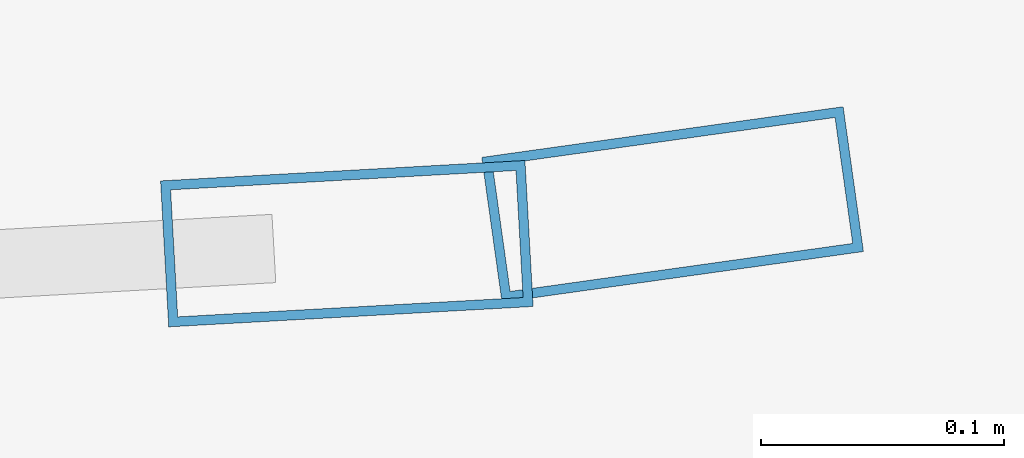
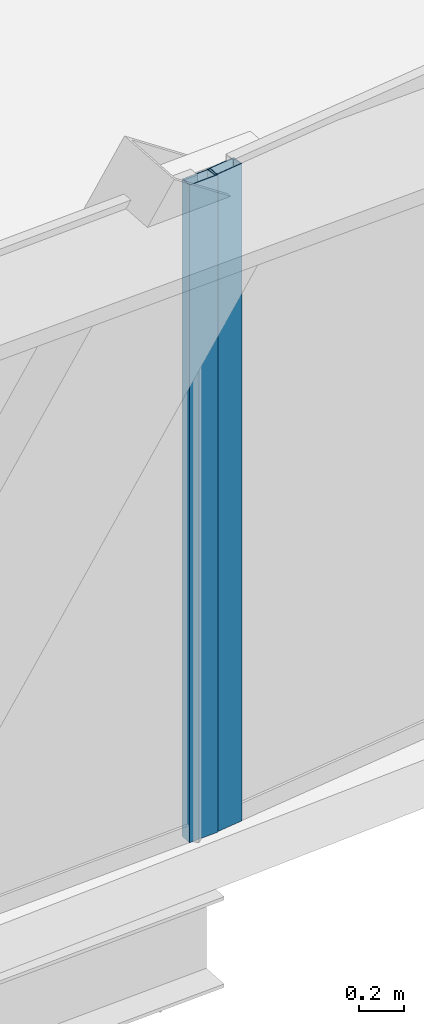
# One storey, part 14 of 38: 2 members, 2 elements without a shape of their own.
"""IFC4 building model written with IfcOpenShell, lengths in metres."""

import ifcopenshell
import ifcopenshell.guid

model = None  # the IFC model being written
_history = None  # IfcOwnerHistory: only IFC2X3 demands one
_inside = {}  # id of a spatial element -> (the spatial element, [elements in it])
_under = {}  # id of a project, library or spatial element -> (it, [spatial elements below it])
_declared = {}  # id of a project -> (the project, [libraries it declares])
_typed = {}  # id of a type object -> (the type object, [elements of that type])
_made_of = {}  # id of a material, layer set ... -> (it, [elements and type objects made of it])


def new_model(schema):
    """Start an empty IFC model of exactly this schema.

    Asked for "IFC4X3", IfcOpenShell would pick the latest addendum, in which some entities
    have other attributes; the version numbers below select the first issue.
    IFC2X3 requires an IfcOwnerHistory on every rooted entity: one is made here for all.
    """
    global model, _history
    if schema == "IFC4X3":
        model = ifcopenshell.file(schema_version=(4, 3, 0, 0))
    else:
        model = ifcopenshell.file(schema=schema)
    _inside.clear()
    _under.clear()
    _declared.clear()
    _typed.clear()
    _made_of.clear()
    _history = None
    if model.schema == "IFC2X3":
        org = make("IfcOrganization", Name="unknown")
        user = make(
            "IfcPersonAndOrganization",
            ThePerson=make("IfcPerson", FamilyName="unknown"),
            TheOrganization=org,
        )
        app = make(
            "IfcApplication",
            ApplicationDeveloper=org,
            Version="unknown",
            ApplicationFullName="unknown",
            ApplicationIdentifier="unknown",
        )
        _history = make(
            "IfcOwnerHistory",
            OwningUser=user,
            OwningApplication=app,
            ChangeAction="ADDED",
            CreationDate=0,
        )
    return model


def make(cls, **values):
    """One entity of the class cls with the attributes given. An attribute that is None is left unset."""
    return model.create_entity(
        cls, **{name: value for name, value in values.items() if value is not None}
    )


def rooted(cls, **values):
    """An entity with a GlobalId (a new one), such as an element, a storey or a relation."""
    return make(cls, GlobalId=ifcopenshell.guid.new(), OwnerHistory=_history, **values)


def si_unit(unit_type, name, prefix=None):
    """IfcSIUnit, for example si_unit("LENGTHUNIT", "METRE", prefix="MILLI")."""
    return make("IfcSIUnit", UnitType=unit_type, Prefix=prefix, Name=name)


def assignment(units):
    """IfcUnitAssignment: the units of a project."""
    return None if units is None else make("IfcUnitAssignment", Units=units)


def point(xyz):
    """IfcCartesianPoint."""
    return None if xyz is None else make("IfcCartesianPoint", Coordinates=xyz)


def direction(xyz):
    """IfcDirection."""
    return None if xyz is None else make("IfcDirection", DirectionRatios=xyz)


def frame(location, z_axis=None, x_axis=None):
    """IfcAxis2Placement3D, a coordinate frame: its origin and axes. An axis left out is left unset."""
    return make(
        "IfcAxis2Placement3D",
        Location=point(location),
        Axis=direction(z_axis),
        RefDirection=direction(x_axis),
    )


def frame_2d(location, x_axis=None):
    """IfcAxis2Placement2D, a coordinate frame in the plane: its origin and x axis."""
    return make(
        "IfcAxis2Placement2D", Location=point(location), RefDirection=direction(x_axis)
    )


def origin():
    """The frame at (0, 0, 0) with its axes left unset."""
    return frame((0.0, 0.0, 0.0))


def origin_2d():
    """The frame at (0, 0) in the plane with its x axis left unset."""
    return frame_2d((0.0, 0.0))


def place(relative_to, where):
    """IfcLocalPlacement: puts the frame where relative to a parent placement (None: the world)."""
    return make(
        "IfcLocalPlacement", PlacementRelTo=relative_to, RelativePlacement=where
    )


def context(
    kind, dimensions, precision=None, world=None, true_north=None, identifier=None
):
    """IfcGeometricRepresentationContext, for example the 3D "Model" context."""
    return make(
        "IfcGeometricRepresentationContext",
        ContextIdentifier=identifier,
        ContextType=kind,
        CoordinateSpaceDimension=dimensions,
        Precision=precision,
        WorldCoordinateSystem=world,
        TrueNorth=true_north,
    )


def subcontext(parent, identifier, kind, view, scale=None):
    """IfcGeometricRepresentationSubContext, for example "Body" below "Model"."""
    return make(
        "IfcGeometricRepresentationSubContext",
        ContextIdentifier=identifier,
        ContextType=kind,
        ParentContext=parent,
        TargetScale=scale,
        TargetView=view,
    )


def project(units=None, contexts=None):
    """IfcProject with its units and contexts."""
    return rooted(
        "IfcProject",
        Name="project",
        RepresentationContexts=contexts,
        UnitsInContext=assignment(units),
    )


def spatial(cls, under=None, at=None, **own):
    """A site, building, storey or space (cls), placed at a placement, below another one or the project."""
    s = rooted(cls, ObjectPlacement=at, **own)
    if under is not None:
        _under.setdefault(under.id(), (under, []))[1].append(s)
    return s


def profile(cls, at=None, kind="AREA", **sizes):
    """A parametric profile (cls). Its sizes go by their IFC names, for example OverallWidth=200.0."""
    return make(cls, ProfileType=kind, Position=at, **sizes)


def hollow_rectangle(**sizes):
    """IfcRectangleHollowProfileDef."""
    return profile("IfcRectangleHollowProfileDef", **sizes)


def extrude(swept, where, along, depth):
    """IfcExtrudedAreaSolid: the profile swept, set in the frame where, extruded along a direction by depth."""
    return make(
        "IfcExtrudedAreaSolid",
        SweptArea=swept,
        Position=where,
        ExtrudedDirection=direction(along),
        Depth=depth,
    )


def shape(context_of_items, identifier, shape_type, items):
    """IfcShapeRepresentation: the items that make up one representation, for example the "Body"."""
    return make(
        "IfcShapeRepresentation",
        ContextOfItems=context_of_items,
        RepresentationIdentifier=identifier,
        RepresentationType=shape_type,
        Items=items,
    )


def source(mapping_origin, context_of_items, identifier, shape_type, items):
    """IfcRepresentationMap: a shape defined once, which mapped items show again and again."""
    return make(
        "IfcRepresentationMap",
        MappingOrigin=mapping_origin,
        MappedRepresentation=shape(context_of_items, identifier, shape_type, items),
    )


def transform(
    local_origin,
    x_axis=None,
    y_axis=None,
    z_axis=None,
    scale=None,
    scale2=None,
    scale3=None,
    uniform=True,
):
    """IfcCartesianTransformationOperator3D, or its non-uniform kind. x_axis, y_axis, z_axis: its Axis1, 2, 3."""
    if uniform:
        return make(
            "IfcCartesianTransformationOperator3D",
            Axis1=direction(x_axis),
            Axis2=direction(y_axis),
            LocalOrigin=point(local_origin),
            Scale=scale,
            Axis3=direction(z_axis),
        )
    return make(
        "IfcCartesianTransformationOperator3DnonUniform",
        Axis1=direction(x_axis),
        Axis2=direction(y_axis),
        LocalOrigin=point(local_origin),
        Scale=scale,
        Axis3=direction(z_axis),
        Scale2=scale2,
        Scale3=scale3,
    )


def mapped(mapping_source, mapping_target):
    """IfcMappedItem: shows the shape of a source again, moved by a transform."""
    return make(
        "IfcMappedItem", MappingSource=mapping_source, MappingTarget=mapping_target
    )


def material(Name=None, Category=None):
    """IfcMaterial."""
    return make("IfcMaterial", Name=Name, Category=Category)


def layer(
    of_material, thickness, ventilated=None, Name=None, Category=None, Priority=None
):
    """IfcMaterialLayer: one layer of a wall or slab, of a material (None: an air gap)."""
    return make(
        "IfcMaterialLayer",
        Material=of_material,
        LayerThickness=thickness,
        IsVentilated=ventilated,
        Name=Name,
        Category=Category,
        Priority=Priority,
    )


def layer_set(layers, Name=None):
    """IfcMaterialLayerSet."""
    return make("IfcMaterialLayerSet", MaterialLayers=layers, LayerSetName=Name)


def material_profile(
    of_material, cross_section, Name=None, Category=None, Priority=None
):
    """IfcMaterialProfile: a cross section and its material."""
    return make(
        "IfcMaterialProfile",
        Name=Name,
        Material=of_material,
        Profile=cross_section,
        Priority=Priority,
        Category=Category,
    )


def profile_set(profiles, Name=None, composite=None):
    """IfcMaterialProfileSet."""
    return make(
        "IfcMaterialProfileSet",
        Name=Name,
        MaterialProfiles=profiles,
        CompositeProfile=composite,
    )


def made_of(thing, what):
    """Note that an element or type object is made of a material, layer set ...; save() writes the relation."""
    if what is not None:
        _made_of.setdefault(what.id(), (what, []))[1].append(thing)
    return thing


def type_object(cls, material=None, **own):
    """A type object (cls), such as IfcWallType, which elements share."""
    return made_of(rooted(cls, **own), material)


def element(
    cls,
    number,
    at=None,
    inside=None,
    cuts=None,
    type_object=None,
    material=None,
    context=None,
    identifier="Body",
    shape_type=None,
    held_by="IfcProductDefinitionShape",
    body=None,
    shapes=None,
    **own,
):
    """One element of the class cls, such as IfcWall. Its Tag is "e" and its number.

    at: its placement. inside: the storey or other place that contains it. cuts: it is an
    opening in that element (IfcRelVoidsElement). A single representation is given by context,
    identifier, shape_type and body (its items); several are given by shapes. held_by: the class
    of the entity that holds the representations. save() writes the other relations.
    """
    e = rooted(cls, Tag="e%d" % number, ObjectPlacement=at, **own)
    if body is not None:
        shapes = [shape(context, identifier, shape_type, body)]
    if shapes is not None:
        e.Representation = make(held_by, Representations=shapes)
    if inside is not None:
        _inside.setdefault(inside.id(), (inside, []))[1].append(e)
    if cuts is not None:
        rooted(
            "IfcRelVoidsElement", RelatingBuildingElement=cuts, RelatedOpeningElement=e
        )
    if type_object is not None:
        _typed.setdefault(type_object.id(), (type_object, []))[1].append(e)
    return made_of(e, material)


def aggregate(whole, parts):
    """IfcRelAggregates: a whole, such as a stair, and the parts it consists of."""
    return rooted("IfcRelAggregates", RelatingObject=whole, RelatedObjects=parts)


def save(model, path):
    """Write the relations noted so far, then the file.

    IfcRelAggregates (storeys below a building ...), IfcRelContainedInSpatialStructure (elements
    in a storey), IfcRelDefinesByType, IfcRelAssociatesMaterial and IfcRelDeclares: one each for
    every whole, place, type object, material and project.
    """
    for whole, parts in _under.values():
        aggregate(whole, parts)
    for where, things in _inside.values():
        rooted(
            "IfcRelContainedInSpatialStructure",
            RelatedElements=things,
            RelatingStructure=where,
        )
    for kind, things in _typed.values():
        rooted("IfcRelDefinesByType", RelatedObjects=things, RelatingType=kind)
    for what, things in _made_of.values():
        rooted("IfcRelAssociatesMaterial", RelatedObjects=things, RelatingMaterial=what)
    for by, libraries in _declared.values():
        rooted("IfcRelDeclares", RelatingContext=by, RelatedDefinitions=libraries)
    model.write(path)


model = new_model("IFC4")

# Units and contexts
model_context = context("Model", 3, precision=1e-05, world=origin(), true_north=direction((0.0, 1.0)))
body_context = subcontext(model_context, "Body", "Model", "MODEL_VIEW")
ifc_project = project(units=[si_unit("LENGTHUNIT", "METRE"), si_unit("AREAUNIT", "SQUARE_METRE"), si_unit("VOLUMEUNIT", "CUBIC_METRE"), si_unit("PLANEANGLEUNIT", "RADIAN"), si_unit("MASSUNIT", "GRAM", prefix="KILO"), si_unit("THERMODYNAMICTEMPERATUREUNIT", "KELVIN"), si_unit("POWERUNIT", "WATT")], contexts=[model_context])

# Site, building, storey
site_placement = place(None, origin())
site = spatial("IfcSite", under=ifc_project, at=site_placement, CompositionType="ELEMENT")
building_placement = place(site_placement, origin())
building = spatial("IfcBuilding", under=site, at=building_placement, Name="Yunzhuo Pagoda Commons", CompositionType="ELEMENT")
storey_placement = place(building_placement, frame((0.0, 0.0, 203.760009765625)))
storey = spatial("IfcBuildingStorey", under=building, at=storey_placement, Name="L51", CompositionType="ELEMENT", Elevation=203.760009765625)

# Curtain wall, member
ifc_material = material(Name="Anodized aluminium 6063-T6", Category="aluminium")
ifc_layer = layer(ifc_material, 0.14990234375)
ifc_layer_set = layer_set([ifc_layer], Name="Anodized aluminium 6063-T6")
curtain_wall_type = type_object("IfcCurtainWallType", Name="CW-MID Mid-Zone Ribbon Curtain Wall", PredefinedType="NOTDEFINED", material=ifc_layer_set)
curtain_wall_1_placement = place(storey_placement, origin())
curtain_wall_1 = element("IfcCurtainWall", 1, at=curtain_wall_1_placement, inside=storey, type_object=curtain_wall_type, Name="L51 curtain wall CW-L51-F1B4", PredefinedType="NOTDEFINED")
ifc_material_profile = material_profile(ifc_material, hollow_rectangle(XDim=0.06005859375, YDim=0.14990234375, WallThickness=0.00390625, at=origin_2d()), Name="Anodized aluminium 6063-T6")
ifc_profile_set = profile_set([ifc_material_profile], Name="Anodized aluminium 6063-T6")
member_type = type_object("IfcMemberType", Name="CW-MID-M Mullion RHS 150x60x4", PredefinedType="MULLION", material=ifc_profile_set)
shared_shape = source(origin(), body_context, "Body", "SweptSolid", [
    extrude(hollow_rectangle(XDim=0.06005859375, YDim=0.14990234375, WallThickness=0.00390625, at=origin_2d()), origin(), (0.0, 0.0, 1.0), 3.5400390625),
])
member_1_placement = place(storey_placement, frame((63.592041015625, 15.0810546875, 0.0), z_axis=(0.0, 0.0, 1.0), x_axis=(-0.055819443993, 0.998440879408, 0.0)))
member_1 = element("IfcMember", 2, at=member_1_placement, type_object=member_type, Name="CW mullion 2", PredefinedType="MULLION", context=body_context, shape_type="MappedRepresentation", body=[
    mapped(shared_shape, transform((0.0, 0.0, 0.0), scale=1.0)),
])
aggregate(curtain_wall_1, [member_1])

curtain_wall_2_placement = place(storey_placement, origin())
curtain_wall_2 = element("IfcCurtainWall", 3, at=curtain_wall_2_placement, inside=storey, type_object=curtain_wall_type, Name="L51 curtain wall CW-L51-F1B5", PredefinedType="NOTDEFINED")
member_2_placement = place(storey_placement, frame((63.725830078125, 15.09716796875, 0.0), z_axis=(0.0, 0.0, 1.0), x_axis=(-0.138819494362, 0.990317700531, 0.0)))
member_2 = element("IfcMember", 4, at=member_2_placement, type_object=member_type, Name="CW mullion 1", PredefinedType="MULLION", context=body_context, shape_type="MappedRepresentation", body=[
    mapped(shared_shape, transform((0.0, 0.0, 0.0), scale=1.0)),
])
aggregate(curtain_wall_2, [member_2])

save(model, "model.ifc")
